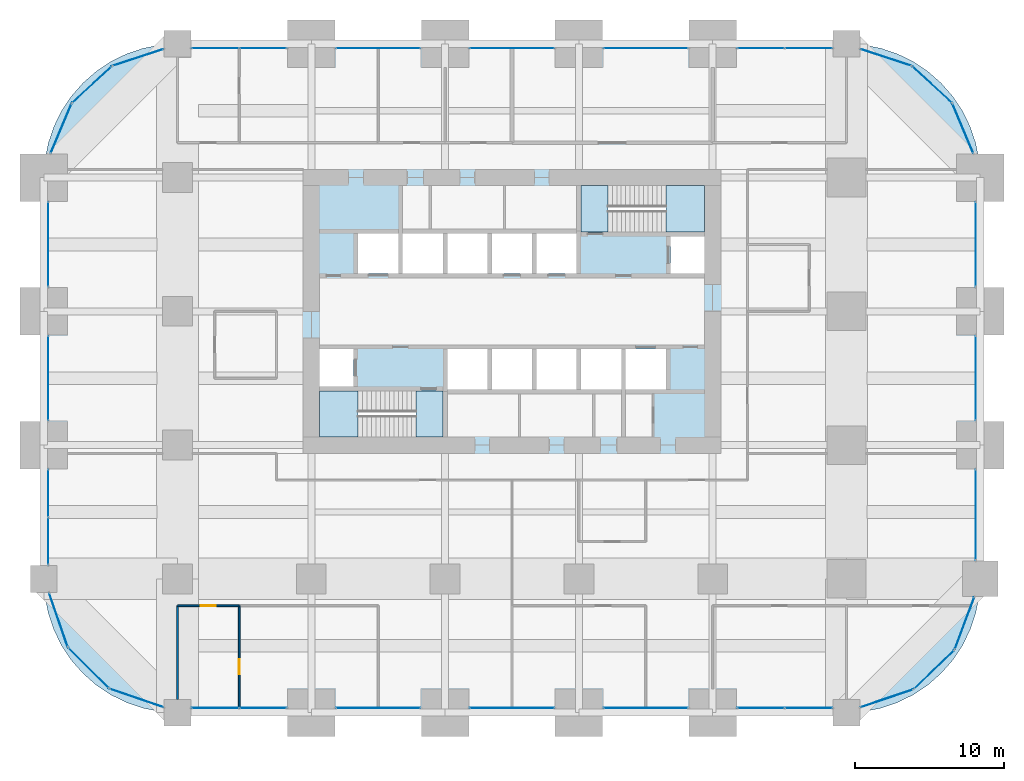
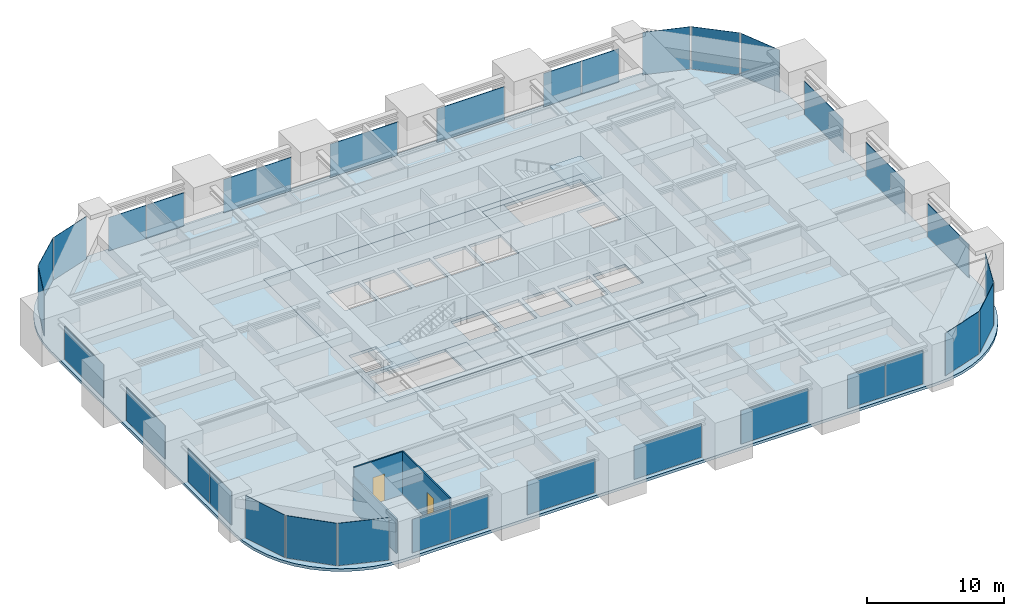
# One storey, part 41 of 45: 33 plates, 6 slabs, 3 walls, 2 doors, 2 openings, 30 elements without a shape of their own.
"""IFC4 building model written with IfcOpenShell, lengths in metres."""

from ifc_helpers import new_model, si_unit, direction, frame, frame_2d, origin, origin_2d, place, context, subcontext, project, spatial, polyline, rectangle, outline, extrude, material, layer, layer_set, type_object, element, fill, aggregate, save


model = new_model("IFC4")

# Units and contexts
model_context = context("Model", 3, precision=1e-05, world=origin(), true_north=direction((0.0, 1.0)))
body_context = subcontext(model_context, "Body", "Model", "MODEL_VIEW")
ifc_project = project(units=[si_unit("LENGTHUNIT", "METRE"), si_unit("AREAUNIT", "SQUARE_METRE"), si_unit("VOLUMEUNIT", "CUBIC_METRE"), si_unit("PLANEANGLEUNIT", "RADIAN"), si_unit("MASSUNIT", "GRAM", prefix="KILO")], contexts=[model_context])

# Site, building, storey
site_placement = place(None, origin())
site = spatial("IfcSite", under=ifc_project, at=site_placement, CompositionType="ELEMENT")
building_placement = place(site_placement, origin())
building = spatial("IfcBuilding", under=site, at=building_placement, Name="Zorevar Civic Tower", CompositionType="ELEMENT")
storey_placement = place(building_placement, frame((0.0, 0.0, 153.0)))
storey = spatial("IfcBuildingStorey", under=building, at=storey_placement, Name="L37", CompositionType="ELEMENT", Elevation=153.0)

# Curtain wall, plates
ifc_material_1 = material(Name="Dark grey solar-control glass in black aluminium frame", Category="aluminium")
curtain_wall_type = type_object("IfcCurtainWallType", Name="Curtain wall CW3 mid zone", PredefinedType="NOTDEFINED", material=ifc_material_1)
curtain_wall_1_placement = place(storey_placement, origin())
curtain_wall_1 = element("IfcCurtainWall", 1, at=curtain_wall_1_placement, inside=storey, type_object=curtain_wall_type, Name="CW3 L37", PredefinedType="NOTDEFINED")
ifc_material_2 = material(Name="Dark grey solar-control glass", Category="glass")
ifc_layer_1 = layer(ifc_material_2, 0.030029296875)
ifc_layer_set_1 = layer_set([ifc_layer_1], Name="CW3 panel 30")
plate_type = type_object("IfcPlateType", Name="CW3 panel 30", PredefinedType="CURTAIN_PANEL", material=ifc_layer_set_1)
plate_1_placement = place(storey_placement, frame((11.5400390625, 0.300048828125, 0.06005859375), z_axis=(0.0, 0.0, 1.0), x_axis=(1.0, 0.0, 0.0)))
plate_1 = element("IfcPlate", 2, at=plate_1_placement, type_object=plate_type, Name="CW3 panel 1.1", PredefinedType="CURTAIN_PANEL", context=body_context, shape_type="SweptSolid", body=[
    extrude(rectangle(XDim=3.159912109375, YDim=0.030029296875, at=origin_2d()), origin(), (0.0, 0.0, 1.0), 2.989990234375),
])
plate_2_placement = place(storey_placement, frame((14.760009765625, 0.300048828125, 0.06005859375), z_axis=(0.0, 0.0, 1.0), x_axis=(1.0, 0.0, 0.0)))
plate_2 = element("IfcPlate", 3, at=plate_2_placement, type_object=plate_type, Name="CW3 panel 2.1", PredefinedType="CURTAIN_PANEL", context=body_context, shape_type="SweptSolid", body=[
    extrude(rectangle(XDim=3.159912109375, YDim=0.030029296875, at=origin_2d()), origin(), (0.0, 0.0, 1.0), 2.989990234375),
])
aggregate(curtain_wall_1, [plate_1, plate_2])

curtain_wall_2_placement = place(storey_placement, origin())
curtain_wall_2 = element("IfcCurtainWall", 4, at=curtain_wall_2_placement, inside=storey, type_object=curtain_wall_type, Name="CW3 L37", PredefinedType="NOTDEFINED")
plate_3_placement = place(storey_placement, frame((11.5400390625, 44.699951171875, 0.06005859375), z_axis=(0.0, 0.0, 1.0), x_axis=(1.0, 0.0, 0.0)))
plate_3 = element("IfcPlate", 5, at=plate_3_placement, type_object=plate_type, Name="CW3 panel 1.1", PredefinedType="CURTAIN_PANEL", context=body_context, shape_type="SweptSolid", body=[
    extrude(rectangle(XDim=3.159912109375, YDim=0.030029296875, at=origin_2d()), origin(), (0.0, 0.0, 1.0), 2.989990234375),
])
plate_4_placement = place(storey_placement, frame((14.760009765625, 44.699951171875, 0.06005859375), z_axis=(0.0, 0.0, 1.0), x_axis=(1.0, 0.0, 0.0)))
plate_4 = element("IfcPlate", 6, at=plate_4_placement, type_object=plate_type, Name="CW3 panel 2.1", PredefinedType="CURTAIN_PANEL", context=body_context, shape_type="SweptSolid", body=[
    extrude(rectangle(XDim=3.159912109375, YDim=0.030029296875, at=origin_2d()), origin(), (0.0, 0.0, 1.0), 2.989990234375),
])
aggregate(curtain_wall_2, [plate_3, plate_4])

# Curtain wall, plate
curtain_wall_3_placement = place(storey_placement, origin())
curtain_wall_3 = element("IfcCurtainWall", 7, at=curtain_wall_3_placement, inside=storey, type_object=curtain_wall_type, Name="CW3 L37", PredefinedType="NOTDEFINED")
plate_5_placement = place(storey_placement, frame((22.5, 0.300048828125, 0.06005859375), z_axis=(0.0, 0.0, 1.0), x_axis=(1.0, 0.0, 0.0)))
plate_5 = element("IfcPlate", 8, at=plate_5_placement, type_object=plate_type, Name="CW3 panel 1.1", PredefinedType="CURTAIN_PANEL", context=body_context, shape_type="SweptSolid", body=[
    extrude(rectangle(XDim=5.679931640625, YDim=0.030029296875, at=origin_2d()), origin(), (0.0, 0.0, 1.0), 2.989990234375),
])
aggregate(curtain_wall_3, [plate_5])

curtain_wall_4_placement = place(storey_placement, origin())
curtain_wall_4 = element("IfcCurtainWall", 9, at=curtain_wall_4_placement, inside=storey, type_object=curtain_wall_type, Name="CW3 L37", PredefinedType="NOTDEFINED")
plate_6_placement = place(storey_placement, frame((22.5, 44.699951171875, 0.06005859375), z_axis=(0.0, 0.0, 1.0), x_axis=(1.0, 0.0, 0.0)))
plate_6 = element("IfcPlate", 10, at=plate_6_placement, type_object=plate_type, Name="CW3 panel 1.1", PredefinedType="CURTAIN_PANEL", context=body_context, shape_type="SweptSolid", body=[
    extrude(rectangle(XDim=5.679931640625, YDim=0.030029296875, at=origin_2d()), origin(), (0.0, 0.0, 1.0), 2.989990234375),
])
aggregate(curtain_wall_4, [plate_6])

curtain_wall_5_placement = place(storey_placement, origin())
curtain_wall_5 = element("IfcCurtainWall", 11, at=curtain_wall_5_placement, inside=storey, type_object=curtain_wall_type, Name="CW3 L37", PredefinedType="NOTDEFINED")
plate_7_placement = place(storey_placement, frame((31.5, 0.300048828125, 0.06005859375), z_axis=(0.0, 0.0, 1.0), x_axis=(1.0, 0.0, 0.0)))
plate_7 = element("IfcPlate", 12, at=plate_7_placement, type_object=plate_type, Name="CW3 panel 1.1", PredefinedType="CURTAIN_PANEL", context=body_context, shape_type="SweptSolid", body=[
    extrude(rectangle(XDim=5.679931640625, YDim=0.030029296875, at=origin_2d()), origin(), (0.0, 0.0, 1.0), 2.989990234375),
])
aggregate(curtain_wall_5, [plate_7])

curtain_wall_6_placement = place(storey_placement, origin())
curtain_wall_6 = element("IfcCurtainWall", 13, at=curtain_wall_6_placement, inside=storey, type_object=curtain_wall_type, Name="CW3 L37", PredefinedType="NOTDEFINED")
plate_8_placement = place(storey_placement, frame((31.5, 44.699951171875, 0.06005859375), z_axis=(0.0, 0.0, 1.0), x_axis=(1.0, 0.0, 0.0)))
plate_8 = element("IfcPlate", 14, at=plate_8_placement, type_object=plate_type, Name="CW3 panel 1.1", PredefinedType="CURTAIN_PANEL", context=body_context, shape_type="SweptSolid", body=[
    extrude(rectangle(XDim=5.679931640625, YDim=0.030029296875, at=origin_2d()), origin(), (0.0, 0.0, 1.0), 2.989990234375),
])
aggregate(curtain_wall_6, [plate_8])

curtain_wall_7_placement = place(storey_placement, origin())
curtain_wall_7 = element("IfcCurtainWall", 15, at=curtain_wall_7_placement, inside=storey, type_object=curtain_wall_type, Name="CW3 L37", PredefinedType="NOTDEFINED")
plate_9_placement = place(storey_placement, frame((40.5, 0.300048828125, 0.06005859375), z_axis=(0.0, 0.0, 1.0), x_axis=(1.0, 0.0, 0.0)))
plate_9 = element("IfcPlate", 16, at=plate_9_placement, type_object=plate_type, Name="CW3 panel 1.1", PredefinedType="CURTAIN_PANEL", context=body_context, shape_type="SweptSolid", body=[
    extrude(rectangle(XDim=5.679931640625, YDim=0.030029296875, at=origin_2d()), origin(), (0.0, 0.0, 1.0), 2.989990234375),
])
aggregate(curtain_wall_7, [plate_9])

curtain_wall_8_placement = place(storey_placement, origin())
curtain_wall_8 = element("IfcCurtainWall", 17, at=curtain_wall_8_placement, inside=storey, type_object=curtain_wall_type, Name="CW3 L37", PredefinedType="NOTDEFINED")
plate_10_placement = place(storey_placement, frame((40.5, 44.699951171875, 0.06005859375), z_axis=(0.0, 0.0, 1.0), x_axis=(1.0, 0.0, 0.0)))
plate_10 = element("IfcPlate", 18, at=plate_10_placement, type_object=plate_type, Name="CW3 panel 1.1", PredefinedType="CURTAIN_PANEL", context=body_context, shape_type="SweptSolid", body=[
    extrude(rectangle(XDim=5.679931640625, YDim=0.030029296875, at=origin_2d()), origin(), (0.0, 0.0, 1.0), 2.989990234375),
])
aggregate(curtain_wall_8, [plate_10])

# Curtain wall, plates
curtain_wall_9_placement = place(storey_placement, origin())
curtain_wall_9 = element("IfcCurtainWall", 19, at=curtain_wall_9_placement, inside=storey, type_object=curtain_wall_type, Name="CW3 L37", PredefinedType="NOTDEFINED")
plate_11_placement = place(storey_placement, frame((48.239990234375, 0.300048828125, 0.06005859375), z_axis=(0.0, 0.0, 1.0), x_axis=(1.0, 0.0, 0.0)))
plate_11 = element("IfcPlate", 20, at=plate_11_placement, type_object=plate_type, Name="CW3 panel 1.1", PredefinedType="CURTAIN_PANEL", context=body_context, shape_type="SweptSolid", body=[
    extrude(rectangle(XDim=3.159912109375, YDim=0.030029296875, at=origin_2d()), origin(), (0.0, 0.0, 1.0), 2.989990234375),
])
plate_12_placement = place(storey_placement, frame((51.4599609375, 0.300048828125, 0.06005859375), z_axis=(0.0, 0.0, 1.0), x_axis=(1.0, 0.0, 0.0)))
plate_12 = element("IfcPlate", 21, at=plate_12_placement, type_object=plate_type, Name="CW3 panel 2.1", PredefinedType="CURTAIN_PANEL", context=body_context, shape_type="SweptSolid", body=[
    extrude(rectangle(XDim=3.159912109375, YDim=0.030029296875, at=origin_2d()), origin(), (0.0, 0.0, 1.0), 2.989990234375),
])
aggregate(curtain_wall_9, [plate_11, plate_12])

curtain_wall_10_placement = place(storey_placement, origin())
curtain_wall_10 = element("IfcCurtainWall", 22, at=curtain_wall_10_placement, inside=storey, type_object=curtain_wall_type, Name="CW3 L37", PredefinedType="NOTDEFINED")
plate_13_placement = place(storey_placement, frame((48.239990234375, 44.699951171875, 0.06005859375), z_axis=(0.0, 0.0, 1.0), x_axis=(1.0, 0.0, 0.0)))
plate_13 = element("IfcPlate", 23, at=plate_13_placement, type_object=plate_type, Name="CW3 panel 1.1", PredefinedType="CURTAIN_PANEL", context=body_context, shape_type="SweptSolid", body=[
    extrude(rectangle(XDim=3.159912109375, YDim=0.030029296875, at=origin_2d()), origin(), (0.0, 0.0, 1.0), 2.989990234375),
])
plate_14_placement = place(storey_placement, frame((51.4599609375, 44.699951171875, 0.06005859375), z_axis=(0.0, 0.0, 1.0), x_axis=(1.0, 0.0, 0.0)))
plate_14 = element("IfcPlate", 24, at=plate_14_placement, type_object=plate_type, Name="CW3 panel 2.1", PredefinedType="CURTAIN_PANEL", context=body_context, shape_type="SweptSolid", body=[
    extrude(rectangle(XDim=3.159912109375, YDim=0.030029296875, at=origin_2d()), origin(), (0.0, 0.0, 1.0), 2.989990234375),
])
aggregate(curtain_wall_10, [plate_13, plate_14])

curtain_wall_11_placement = place(storey_placement, origin())
curtain_wall_11 = element("IfcCurtainWall", 25, at=curtain_wall_11_placement, inside=storey, type_object=curtain_wall_type, Name="CW3 L37", PredefinedType="NOTDEFINED")
plate_15_placement = place(storey_placement, frame((0.300048828125, 11.5400390625, 0.06005859375), z_axis=(0.0, 0.0, 1.0), x_axis=(0.0, 1.0, 0.0)))
plate_15 = element("IfcPlate", 26, at=plate_15_placement, type_object=plate_type, Name="CW3 panel 1.1", PredefinedType="CURTAIN_PANEL", context=body_context, shape_type="SweptSolid", body=[
    extrude(rectangle(XDim=3.159912109375, YDim=0.030029296875, at=origin_2d()), origin(), (0.0, 0.0, 1.0), 2.989990234375),
])
plate_16_placement = place(storey_placement, frame((0.300048828125, 14.760009765625, 0.06005859375), z_axis=(0.0, 0.0, 1.0), x_axis=(0.0, 1.0, 0.0)))
plate_16 = element("IfcPlate", 27, at=plate_16_placement, type_object=plate_type, Name="CW3 panel 2.1", PredefinedType="CURTAIN_PANEL", context=body_context, shape_type="SweptSolid", body=[
    extrude(rectangle(XDim=3.159912109375, YDim=0.030029296875, at=origin_2d()), origin(), (0.0, 0.0, 1.0), 2.989990234375),
])
aggregate(curtain_wall_11, [plate_15, plate_16])

# Curtain wall, plate
curtain_wall_12_placement = place(storey_placement, origin())
curtain_wall_12 = element("IfcCurtainWall", 28, at=curtain_wall_12_placement, inside=storey, type_object=curtain_wall_type, Name="CW3 L37", PredefinedType="NOTDEFINED")
plate_17_placement = place(storey_placement, frame((62.699951171875, 13.300048828125, 0.06005859375), z_axis=(0.0, 0.0, 1.0), x_axis=(0.0, 1.0, 0.0)))
plate_17 = element("IfcPlate", 29, at=plate_17_placement, type_object=plate_type, Name="CW3 panel 1.1", PredefinedType="CURTAIN_PANEL", context=body_context, shape_type="SweptSolid", body=[
    extrude(rectangle(XDim=6.080078125, YDim=0.030029296875, at=origin_2d()), origin(), (0.0, 0.0, 1.0), 2.989990234375),
])
aggregate(curtain_wall_12, [plate_17])

curtain_wall_13_placement = place(storey_placement, origin())
curtain_wall_13 = element("IfcCurtainWall", 30, at=curtain_wall_13_placement, inside=storey, type_object=curtain_wall_type, Name="CW3 L37", PredefinedType="NOTDEFINED")
plate_18_placement = place(storey_placement, frame((0.300048828125, 22.5, 0.06005859375), z_axis=(0.0, 0.0, 1.0), x_axis=(0.0, 1.0, 0.0)))
plate_18 = element("IfcPlate", 31, at=plate_18_placement, type_object=plate_type, Name="CW3 panel 1.1", PredefinedType="CURTAIN_PANEL", context=body_context, shape_type="SweptSolid", body=[
    extrude(rectangle(XDim=5.679931640625, YDim=0.030029296875, at=origin_2d()), origin(), (0.0, 0.0, 1.0), 2.989990234375),
])
aggregate(curtain_wall_13, [plate_18])

curtain_wall_14_placement = place(storey_placement, origin())
curtain_wall_14 = element("IfcCurtainWall", 32, at=curtain_wall_14_placement, inside=storey, type_object=curtain_wall_type, Name="CW3 L37", PredefinedType="NOTDEFINED")
plate_19_placement = place(storey_placement, frame((62.699951171875, 22.5, 0.06005859375), z_axis=(0.0, 0.0, 1.0), x_axis=(0.0, 1.0, 0.0)))
plate_19 = element("IfcPlate", 33, at=plate_19_placement, type_object=plate_type, Name="CW3 panel 1.1", PredefinedType="CURTAIN_PANEL", context=body_context, shape_type="SweptSolid", body=[
    extrude(rectangle(XDim=5.679931640625, YDim=0.030029296875, at=origin_2d()), origin(), (0.0, 0.0, 1.0), 2.989990234375),
])
aggregate(curtain_wall_14, [plate_19])

curtain_wall_15_placement = place(storey_placement, origin())
curtain_wall_15 = element("IfcCurtainWall", 34, at=curtain_wall_15_placement, inside=storey, type_object=curtain_wall_type, Name="CW3 L37", PredefinedType="NOTDEFINED")
plate_20_placement = place(storey_placement, frame((0.300048828125, 31.5, 0.06005859375), z_axis=(0.0, 0.0, 1.0), x_axis=(0.0, 1.0, 0.0)))
plate_20 = element("IfcPlate", 35, at=plate_20_placement, type_object=plate_type, Name="CW3 panel 1.1", PredefinedType="CURTAIN_PANEL", context=body_context, shape_type="SweptSolid", body=[
    extrude(rectangle(XDim=5.679931640625, YDim=0.030029296875, at=origin_2d()), origin(), (0.0, 0.0, 1.0), 2.989990234375),
])
aggregate(curtain_wall_15, [plate_20])

curtain_wall_16_placement = place(storey_placement, origin())
curtain_wall_16 = element("IfcCurtainWall", 36, at=curtain_wall_16_placement, inside=storey, type_object=curtain_wall_type, Name="CW3 L37", PredefinedType="NOTDEFINED")
plate_21_placement = place(storey_placement, frame((62.699951171875, 31.5, 0.06005859375), z_axis=(0.0, 0.0, 1.0), x_axis=(0.0, 1.0, 0.0)))
plate_21 = element("IfcPlate", 37, at=plate_21_placement, type_object=plate_type, Name="CW3 panel 1.1", PredefinedType="CURTAIN_PANEL", context=body_context, shape_type="SweptSolid", body=[
    extrude(rectangle(XDim=5.679931640625, YDim=0.030029296875, at=origin_2d()), origin(), (0.0, 0.0, 1.0), 2.989990234375),
])
aggregate(curtain_wall_16, [plate_21])

curtain_wall_17_placement = place(storey_placement, origin())
curtain_wall_17 = element("IfcCurtainWall", 38, at=curtain_wall_17_placement, inside=storey, type_object=curtain_wall_type, Name="CW3 L37", PredefinedType="NOTDEFINED")
plate_22_placement = place(storey_placement, frame((56.7109375, 0.95703125, 0.06005859375), z_axis=(0.0, 0.0, 1.0), x_axis=(0.947615765406, 0.319412525043, 0.0)))
plate_22 = element("IfcPlate", 39, at=plate_22_placement, type_object=plate_type, Name="CW3 panel 1.1", PredefinedType="CURTAIN_PANEL", context=body_context, shape_type="SweptSolid", body=[
    extrude(rectangle(XDim=3.7021484375, YDim=0.030029296875, at=origin_2d()), origin(), (0.0, 0.0, 1.0), 3.7900390625),
])
aggregate(curtain_wall_17, [plate_22])

curtain_wall_18_placement = place(storey_placement, origin())
curtain_wall_18 = element("IfcCurtainWall", 40, at=curtain_wall_18_placement, inside=storey, type_object=curtain_wall_type, Name="CW3 L37", PredefinedType="NOTDEFINED")
plate_23_placement = place(storey_placement, frame((59.896484375, 2.89501953125, 0.06005859375), z_axis=(0.0, 0.0, 1.0), x_axis=(0.719281160023, 0.694719089155, 0.0)))
plate_23 = element("IfcPlate", 41, at=plate_23_placement, type_object=plate_type, Name="CW3 panel 1.1", PredefinedType="CURTAIN_PANEL", context=body_context, shape_type="SweptSolid", body=[
    extrude(rectangle(XDim=3.7021484375, YDim=0.030029296875, at=origin_2d()), origin(), (0.0, 0.0, 1.0), 3.7900390625),
])
aggregate(curtain_wall_18, [plate_23])

curtain_wall_19_placement = place(storey_placement, origin())
curtain_wall_19 = element("IfcCurtainWall", 42, at=curtain_wall_19_placement, inside=storey, type_object=curtain_wall_type, Name="CW3 L37", PredefinedType="NOTDEFINED")
plate_24_placement = place(storey_placement, frame((61.94384765625, 6.011474609375, 0.06005859375), z_axis=(0.0, 0.0, 1.0), x_axis=(0.352131520999, 0.935950528564, 0.0)))
plate_24 = element("IfcPlate", 43, at=plate_24_placement, type_object=plate_type, Name="CW3 panel 1.1", PredefinedType="CURTAIN_PANEL", context=body_context, shape_type="SweptSolid", body=[
    extrude(rectangle(XDim=3.7021484375, YDim=0.030029296875, at=origin_2d()), origin(), (0.0, 0.0, 1.0), 3.7900390625),
])
aggregate(curtain_wall_19, [plate_24])

curtain_wall_20_placement = place(storey_placement, origin())
curtain_wall_20 = element("IfcCurtainWall", 44, at=curtain_wall_20_placement, inside=storey, type_object=curtain_wall_type, Name="CW3 L37", PredefinedType="NOTDEFINED")
plate_25_placement = place(storey_placement, frame((61.83544921875, 39.30029296875, 0.06005859375), z_axis=(0.0, 0.0, 1.0), x_axis=(-0.388184349349, 0.921581744025, 0.0)))
plate_25 = element("IfcPlate", 45, at=plate_25_placement, type_object=plate_type, Name="CW3 panel 1.1", PredefinedType="CURTAIN_PANEL", context=body_context, shape_type="SweptSolid", body=[
    extrude(rectangle(XDim=3.570068359375, YDim=0.030029296875, at=origin_2d()), origin(), (0.0, 0.0, 1.0), 3.7900390625),
])
aggregate(curtain_wall_20, [plate_25])

curtain_wall_21_placement = place(storey_placement, origin())
curtain_wall_21 = element("IfcCurtainWall", 46, at=curtain_wall_21_placement, inside=storey, type_object=curtain_wall_type, Name="CW3 L37", PredefinedType="NOTDEFINED")
plate_26_placement = place(storey_placement, frame((59.762451171875, 42.251220703125, 0.06005859375), z_axis=(0.0, 0.0, 1.0), x_axis=(-0.7352671134, 0.677777450165, 0.0)))
plate_26 = element("IfcPlate", 47, at=plate_26_placement, type_object=plate_type, Name="CW3 panel 1.1", PredefinedType="CURTAIN_PANEL", context=body_context, shape_type="SweptSolid", body=[
    extrude(rectangle(XDim=3.570068359375, YDim=0.030029296875, at=origin_2d()), origin(), (0.0, 0.0, 1.0), 3.7900390625),
])
aggregate(curtain_wall_21, [plate_26])

curtain_wall_22_placement = place(storey_placement, origin())
curtain_wall_22 = element("IfcCurtainWall", 48, at=curtain_wall_22_placement, inside=storey, type_object=curtain_wall_type, Name="CW3 L37", PredefinedType="NOTDEFINED")
plate_27_placement = place(storey_placement, frame((56.65283203125, 44.07763671875, 0.06005859375), z_axis=(0.0, 0.0, 1.0), x_axis=(-0.950070156117, 0.31203637361, 0.0)))
plate_27 = element("IfcPlate", 49, at=plate_27_placement, type_object=plate_type, Name="CW3 panel 1.1", PredefinedType="CURTAIN_PANEL", context=body_context, shape_type="SweptSolid", body=[
    extrude(rectangle(XDim=3.570068359375, YDim=0.030029296875, at=origin_2d()), origin(), (0.0, 0.0, 1.0), 3.7900390625),
])
aggregate(curtain_wall_22, [plate_27])

curtain_wall_23_placement = place(storey_placement, origin())
curtain_wall_23 = element("IfcCurtainWall", 50, at=curtain_wall_23_placement, inside=storey, type_object=curtain_wall_type, Name="CW3 L37", PredefinedType="NOTDEFINED")
plate_28_placement = place(storey_placement, frame((6.34716796875, 44.07763671875, 0.06005859375), z_axis=(0.0, 0.0, 1.0), x_axis=(-0.950070156117, -0.31203637361, 0.0)))
plate_28 = element("IfcPlate", 51, at=plate_28_placement, type_object=plate_type, Name="CW3 panel 1.1", PredefinedType="CURTAIN_PANEL", context=body_context, shape_type="SweptSolid", body=[
    extrude(rectangle(XDim=3.570068359375, YDim=0.030029296875, at=origin_2d()), origin(), (0.0, 0.0, 1.0), 3.7900390625),
])
aggregate(curtain_wall_23, [plate_28])

curtain_wall_24_placement = place(storey_placement, origin())
curtain_wall_24 = element("IfcCurtainWall", 52, at=curtain_wall_24_placement, inside=storey, type_object=curtain_wall_type, Name="CW3 L37", PredefinedType="NOTDEFINED")
plate_29_placement = place(storey_placement, frame((3.237548828125, 42.251220703125, 0.06005859375), z_axis=(0.0, 0.0, 1.0), x_axis=(-0.7352671134, -0.677777450165, 0.0)))
plate_29 = element("IfcPlate", 53, at=plate_29_placement, type_object=plate_type, Name="CW3 panel 1.1", PredefinedType="CURTAIN_PANEL", context=body_context, shape_type="SweptSolid", body=[
    extrude(rectangle(XDim=3.570068359375, YDim=0.030029296875, at=origin_2d()), origin(), (0.0, 0.0, 1.0), 3.7900390625),
])
aggregate(curtain_wall_24, [plate_29])

curtain_wall_25_placement = place(storey_placement, origin())
curtain_wall_25 = element("IfcCurtainWall", 54, at=curtain_wall_25_placement, inside=storey, type_object=curtain_wall_type, Name="CW3 L37", PredefinedType="NOTDEFINED")
plate_30_placement = place(storey_placement, frame((1.16455078125, 39.30029296875, 0.06005859375), z_axis=(0.0, 0.0, 1.0), x_axis=(-0.388184349349, -0.921581744025, 0.0)))
plate_30 = element("IfcPlate", 55, at=plate_30_placement, type_object=plate_type, Name="CW3 panel 1.1", PredefinedType="CURTAIN_PANEL", context=body_context, shape_type="SweptSolid", body=[
    extrude(rectangle(XDim=3.570068359375, YDim=0.030029296875, at=origin_2d()), origin(), (0.0, 0.0, 1.0), 3.7900390625),
])
aggregate(curtain_wall_25, [plate_30])

curtain_wall_26_placement = place(storey_placement, origin())
curtain_wall_26 = element("IfcCurtainWall", 56, at=curtain_wall_26_placement, inside=storey, type_object=curtain_wall_type, Name="CW3 L37", PredefinedType="NOTDEFINED")
plate_31_placement = place(storey_placement, frame((0.9833984375, 6.24609375, 0.06005859375), z_axis=(0.0, 0.0, 1.0), x_axis=(0.324878466857, -0.945755772794, 0.0)))
plate_31 = element("IfcPlate", 57, at=plate_31_placement, type_object=plate_type, Name="CW3 panel 1.1", PredefinedType="CURTAIN_PANEL", context=body_context, shape_type="SweptSolid", body=[
    extrude(rectangle(XDim=3.80029296875, YDim=0.030029296875, at=origin_2d()), origin(), (0.0, 0.0, 1.0), 3.7900390625),
])
aggregate(curtain_wall_26, [plate_31])

curtain_wall_27_placement = place(storey_placement, origin())
curtain_wall_27 = element("IfcCurtainWall", 58, at=curtain_wall_27_placement, inside=storey, type_object=curtain_wall_type, Name="CW3 L37", PredefinedType="NOTDEFINED")
plate_32_placement = place(storey_placement, frame((3.00634765625, 3.00634765625, 0.06005859375), z_axis=(0.0, 0.0, 1.0), x_axis=(0.707106781187, -0.707106781187, 0.0)))
plate_32 = element("IfcPlate", 59, at=plate_32_placement, type_object=plate_type, Name="CW3 panel 1.1", PredefinedType="CURTAIN_PANEL", context=body_context, shape_type="SweptSolid", body=[
    extrude(rectangle(XDim=3.80029296875, YDim=0.030029296875, at=origin_2d()), origin(), (0.0, 0.0, 1.0), 3.7900390625),
])
aggregate(curtain_wall_27, [plate_32])

curtain_wall_28_placement = place(storey_placement, origin())
curtain_wall_28 = element("IfcCurtainWall", 60, at=curtain_wall_28_placement, inside=storey, type_object=curtain_wall_type, Name="CW3 L37", PredefinedType="NOTDEFINED")
plate_33_placement = place(storey_placement, frame((6.24609375, 0.9833984375, 0.06005859375), z_axis=(0.0, 0.0, 1.0), x_axis=(0.945755772794, -0.324878466857, 0.0)))
plate_33 = element("IfcPlate", 61, at=plate_33_placement, type_object=plate_type, Name="CW3 panel 1.1", PredefinedType="CURTAIN_PANEL", context=body_context, shape_type="SweptSolid", body=[
    extrude(rectangle(XDim=3.80029296875, YDim=0.030029296875, at=origin_2d()), origin(), (0.0, 0.0, 1.0), 3.7900390625),
])
aggregate(curtain_wall_28, [plate_33])

# Slabs
ifc_material_3 = material(Name="Concrete C40/50", Category="concrete")
ifc_layer_2 = layer(ifc_material_3, 0.25)
ifc_layer_set_2 = layer_set([ifc_layer_2], Name="Floor slab 250")
slab_type_1 = type_object("IfcSlabType", Name="Floor slab 250", PredefinedType="FLOOR", material=ifc_layer_set_2)
slab_1_placement = place(storey_placement, frame((0.0, 0.0, -0.25)))
element("IfcSlab", 62, at=slab_1_placement, inside=storey, type_object=slab_type_1, Name="Floor slab L37", PredefinedType="FLOOR", context=body_context, shape_type="SweptSolid", body=[
    extrude(outline(polyline([(54.0, 0.0), (55.1748046875, 0.076904296875), (56.329345703125, 0.306640625), (57.444091796875, 0.68505859375), (58.5, 1.205810546875), (59.478759765625, 1.85986328125), (60.364013671875, 2.635986328125), (61.14013671875, 3.521240234375), (61.794189453125, 4.5), (62.31494140625, 5.555908203125), (62.693359375, 6.670654296875), (62.923095703125, 7.8251953125), (63.0, 9.0), (63.0, 36.0), (62.923095703125, 37.1748046875), (62.693359375, 38.329345703125), (62.31494140625, 39.444091796875), (61.794189453125, 40.5), (61.14013671875, 41.478759765625), (60.364013671875, 42.364013671875), (59.478759765625, 43.14013671875), (58.5, 43.794189453125), (57.444091796875, 44.31494140625), (56.329345703125, 44.693359375), (55.1748046875, 44.923095703125), (54.0, 45.0), (9.0, 45.0), (7.8251953125, 44.923095703125), (6.670654296875, 44.693359375), (5.555908203125, 44.31494140625), (4.5, 43.794189453125), (3.521240234375, 43.14013671875), (2.635986328125, 42.364013671875), (1.85986328125, 41.478759765625), (1.205810546875, 40.5), (0.68505859375, 39.444091796875), (0.306640625, 38.329345703125), (0.076904296875, 37.1748046875), (0.0, 36.0), (0.0, 9.0), (0.076904296875, 7.8251953125), (0.306640625, 6.670654296875), (0.68505859375, 5.555908203125), (1.205810546875, 4.5), (1.85986328125, 3.521240234375), (2.635986328125, 2.635986328125), (3.521240234375, 1.85986328125), (4.5, 1.205810546875), (5.555908203125, 0.68505859375), (6.670654296875, 0.306640625), (7.8251953125, 0.076904296875), (9.0, 0.0), (54.0, 0.0)]), holes=[polyline([(18.0, 18.0), (45.0, 18.0), (45.0, 36.0), (18.0, 36.0), (18.0, 18.0)])]), origin(), (0.0, 0.0, 1.0), 0.25),
])
slab_2_placement = place(storey_placement, frame((0.0, 0.0, -0.25)))
element("IfcSlab", 63, at=slab_2_placement, inside=storey, type_object=slab_type_1, Name="Core floor L37", PredefinedType="FLOOR", context=body_context, shape_type="SweptSolid", body=[
    extrude(outline(polyline([(18.0, 18.0), (45.0, 18.0), (45.0, 36.0), (18.0, 36.0), (18.0, 18.0)]), holes=[polyline([(18.550048828125, 18.550048828125), (26.85009765625, 18.550048828125), (26.85009765625, 21.64990234375), (18.550048828125, 21.64990234375), (18.550048828125, 18.550048828125)]), polyline([(36.14990234375, 32.35009765625), (44.449951171875, 32.35009765625), (44.449951171875, 35.449951171875), (36.14990234375, 35.449951171875), (36.14990234375, 32.35009765625)]), polyline([(18.550048828125, 21.949951171875), (20.85009765625, 21.949951171875), (20.85009765625, 24.449951171875), (18.550048828125, 24.449951171875), (18.550048828125, 21.949951171875)]), polyline([(42.14990234375, 29.550048828125), (44.449951171875, 29.550048828125), (44.449951171875, 32.050048828125), (42.14990234375, 32.050048828125), (42.14990234375, 29.550048828125)]), polyline([(27.14990234375, 21.75), (29.85009765625, 21.75), (29.85009765625, 24.449951171875), (27.14990234375, 24.449951171875), (27.14990234375, 21.75)]), polyline([(33.14990234375, 29.550048828125), (35.85009765625, 29.550048828125), (35.85009765625, 32.25), (33.14990234375, 32.25), (33.14990234375, 29.550048828125)]), polyline([(30.14990234375, 21.75), (32.85009765625, 21.75), (32.85009765625, 24.449951171875), (30.14990234375, 24.449951171875), (30.14990234375, 21.75)]), polyline([(30.14990234375, 29.550048828125), (32.85009765625, 29.550048828125), (32.85009765625, 32.25), (30.14990234375, 32.25), (30.14990234375, 29.550048828125)]), polyline([(33.14990234375, 21.75), (35.85009765625, 21.75), (35.85009765625, 24.449951171875), (33.14990234375, 24.449951171875), (33.14990234375, 21.75)]), polyline([(27.14990234375, 29.550048828125), (29.85009765625, 29.550048828125), (29.85009765625, 32.25), (27.14990234375, 32.25), (27.14990234375, 29.550048828125)]), polyline([(36.14990234375, 21.75), (38.85009765625, 21.75), (38.85009765625, 24.449951171875), (36.14990234375, 24.449951171875), (36.14990234375, 21.75)]), polyline([(24.14990234375, 29.550048828125), (26.85009765625, 29.550048828125), (26.85009765625, 32.25), (24.14990234375, 32.25), (24.14990234375, 29.550048828125)]), polyline([(39.14990234375, 21.75), (41.85009765625, 21.75), (41.85009765625, 24.449951171875), (39.14990234375, 24.449951171875), (39.14990234375, 21.75)]), polyline([(21.14990234375, 29.550048828125), (23.85009765625, 29.550048828125), (23.85009765625, 32.25), (21.14990234375, 32.25), (21.14990234375, 29.550048828125)])]), origin(), (0.0, 0.0, 1.0), 0.25),
])

# Stair, slabs
ifc_material_4 = material(Name="Precast concrete C40/50", Category="concrete")
stair_type = type_object("IfcStairType", Name="Stair ST 28R", PredefinedType="HALF_TURN_STAIR", material=ifc_material_4)
stair_1_placement = place(storey_placement, origin())
stair_1 = element("IfcStair", 64, at=stair_1_placement, inside=storey, type_object=stair_type, Name="Stair ST1 L37", PredefinedType="HALF_TURN_STAIR")
ifc_material_5 = material(Name="Concrete C40/50", Category="concrete")
ifc_layer_3 = layer(ifc_material_5, 0.199951171875)
ifc_layer_set_3 = layer_set([ifc_layer_3], Name="Stair landing 200")
slab_type_2 = type_object("IfcSlabType", Name="Stair landing 200", PredefinedType="LANDING", material=ifc_layer_set_3)
slab_3_placement = place(storey_placement, frame((0.0, 0.0, -0.199951171875)))
slab_3 = element("IfcSlab", 65, at=slab_3_placement, type_object=slab_type_2, Name="ST1 landing 1", PredefinedType="LANDING", context=body_context, shape_type="SweptSolid", body=[
    extrude(outline(polyline([(25.050048828125, 18.550048828125), (26.85009765625, 18.550048828125), (26.85009765625, 21.64990234375), (25.050048828125, 21.64990234375), (25.050048828125, 18.550048828125)])), origin(), (0.0, 0.0, 1.0), 0.199951171875),
])
slab_4_placement = place(storey_placement, frame((0.0, 0.0, 1.89990234375)))
slab_4 = element("IfcSlab", 66, at=slab_4_placement, type_object=slab_type_2, Name="ST1 landing 2", PredefinedType="LANDING", context=body_context, shape_type="SweptSolid", body=[
    extrude(outline(polyline([(18.550048828125, 18.550048828125), (21.14990234375, 18.550048828125), (21.14990234375, 21.64990234375), (18.550048828125, 21.64990234375), (18.550048828125, 18.550048828125)])), origin(), (0.0, 0.0, 1.0), 0.2001953125),
])
aggregate(stair_1, [slab_3, slab_4])

stair_2_placement = place(storey_placement, origin())
stair_2 = element("IfcStair", 67, at=stair_2_placement, inside=storey, type_object=stair_type, Name="Stair ST2 L37", PredefinedType="HALF_TURN_STAIR")
slab_5_placement = place(storey_placement, frame((0.0, 0.0, -0.199951171875)))
slab_5 = element("IfcSlab", 68, at=slab_5_placement, type_object=slab_type_2, Name="ST2 landing 1", PredefinedType="LANDING", context=body_context, shape_type="SweptSolid", body=[
    extrude(outline(polyline([(37.949951171875, 32.35009765625), (36.14990234375, 32.35009765625), (36.14990234375, 35.449951171875), (37.949951171875, 35.449951171875), (37.949951171875, 32.35009765625)])), origin(), (0.0, 0.0, 1.0), 0.199951171875),
])
slab_6_placement = place(storey_placement, frame((0.0, 0.0, 1.89990234375)))
slab_6 = element("IfcSlab", 69, at=slab_6_placement, type_object=slab_type_2, Name="ST2 landing 2", PredefinedType="LANDING", context=body_context, shape_type="SweptSolid", body=[
    extrude(outline(polyline([(44.449951171875, 32.35009765625), (41.85009765625, 32.35009765625), (41.85009765625, 35.449951171875), (44.449951171875, 35.449951171875), (44.449951171875, 32.35009765625)])), origin(), (0.0, 0.0, 1.0), 0.2001953125),
])
aggregate(stair_2, [slab_5, slab_6])

# Wall, opening, door
ifc_material_6 = material(Name="Gypsum board on steel studs", Category="steel")
ifc_layer_4 = layer(ifc_material_6, 0.1201171875)
ifc_layer_set_4 = layer_set([ifc_layer_4], Name="Partition 120")
wall_type = type_object("IfcWallType", Name="Partition 120", PredefinedType="PARTITIONING", material=ifc_layer_set_4)
wall_1_placement = place(storey_placement, frame((9.0, 7.199951171875, 0.0), z_axis=(0.0, 0.0, 1.0), x_axis=(1.0, 0.0, 0.0)))
wall_1 = element("IfcWall", 70, at=wall_1_placement, inside=storey, type_object=wall_type, Name="Partition 120 L37", PredefinedType="PARTITIONING", context=body_context, shape_type="SweptSolid", body=[
    extrude(rectangle(XDim=4.14990234375, YDim=0.1201171875, at=frame_2d((2.074951171875, 0.0))), origin(), (0.0, 0.0, 1.0), 3.85009765625),
])
opening_1_placement = place(wall_1_placement, frame((1.574951171875, 0.0, 0.0)))
opening_1 = element("IfcOpeningElement", 71, at=opening_1_placement, cuts=wall_1, Name="Opening L37.17", PredefinedType="OPENING", context=body_context, shape_type="SweptSolid", body=[
    extrude(rectangle(XDim=1.0, YDim=2.39990234375, at=frame_2d((0.5, 1.199951171875))), frame((0.0, 0.070068359375, 0.0), z_axis=(0.0, -1.0, 0.0), x_axis=(1.0, 0.0, 0.0)), (0.0, 0.0, 1.0), 0.14013671875),
])
ifc_material_7 = material(Name="Timber door set", Category="wood")
door_type = type_object("IfcDoorType", Name="Door D1 1000x2400", OperationType="SINGLE_SWING_LEFT", PredefinedType="DOOR", material=ifc_material_7)
door_1_placement = place(opening_1_placement, origin())
door_1 = element("IfcDoor", 72, at=door_1_placement, inside=storey, type_object=door_type, Name="Door L37 D1", OperationType="SINGLE_SWING_RIGHT", OverallHeight=2.39990234375, OverallWidth=1.0, PredefinedType="DOOR", context=body_context, shape_type="SweptSolid", body=[
    extrude(rectangle(XDim=1.0, YDim=2.39990234375, at=frame_2d((0.5, 1.199951171875))), frame((0.0, 0.02490234375, 0.0), z_axis=(0.0, -1.0, 0.0), x_axis=(1.0, 0.0, 0.0)), (0.0, 0.0, 1.0), 0.050048828125),
])
fill(opening_1, door_1)

# Wall
wall_2_placement = place(storey_placement, frame((9.0, 0.89990234375, 0.0), z_axis=(0.0, 0.0, 1.0), x_axis=(0.0, 1.0, 0.0)))
element("IfcWall", 73, at=wall_2_placement, inside=storey, type_object=wall_type, Name="Partition 120 L37", PredefinedType="PARTITIONING", context=body_context, shape_type="SweptSolid", body=[
    extrude(rectangle(XDim=6.300048828125, YDim=0.1201171875, at=frame_2d((3.14990234375, 0.0))), origin(), (0.0, 0.0, 1.0), 3.050048828125),
])

# Wall, opening, door
wall_3_placement = place(storey_placement, frame((13.14990234375, 0.31005859375, 0.0), z_axis=(0.0, 0.0, 1.0), x_axis=(0.0, 1.0, 0.0)))
wall_3 = element("IfcWall", 74, at=wall_3_placement, inside=storey, type_object=wall_type, Name="Partition 120 L37", PredefinedType="PARTITIONING", context=body_context, shape_type="SweptSolid", body=[
    extrude(rectangle(XDim=6.889892578125, YDim=0.1201171875, at=frame_2d((3.44482421875, 0.0))), origin(), (0.0, 0.0, 1.0), 3.85009765625),
])
opening_2_placement = place(wall_3_placement, frame((2.2900390625, 0.0, 0.0)))
opening_2 = element("IfcOpeningElement", 75, at=opening_2_placement, cuts=wall_3, Name="Opening L37.31", PredefinedType="OPENING", context=body_context, shape_type="SweptSolid", body=[
    extrude(rectangle(XDim=1.0, YDim=2.39990234375, at=frame_2d((0.5, 1.199951171875))), frame((0.0, 0.070068359375, 0.0), z_axis=(0.0, -1.0, 0.0), x_axis=(1.0, 0.0, 0.0)), (0.0, 0.0, 1.0), 0.14013671875),
])
door_2_placement = place(opening_2_placement, origin())
door_2 = element("IfcDoor", 76, at=door_2_placement, inside=storey, type_object=door_type, Name="Door L37 D1", OperationType="SINGLE_SWING_LEFT", OverallHeight=2.39990234375, OverallWidth=1.0, PredefinedType="DOOR", context=body_context, shape_type="SweptSolid", body=[
    extrude(rectangle(XDim=1.0, YDim=2.39990234375, at=frame_2d((0.5, 1.199951171875))), frame((0.0, 0.02490234375, 0.0), z_axis=(0.0, -1.0, 0.0), x_axis=(1.0, 0.0, 0.0)), (0.0, 0.0, 1.0), 0.050048828125),
])
fill(opening_2, door_2)

save(model, "model.ifc")
